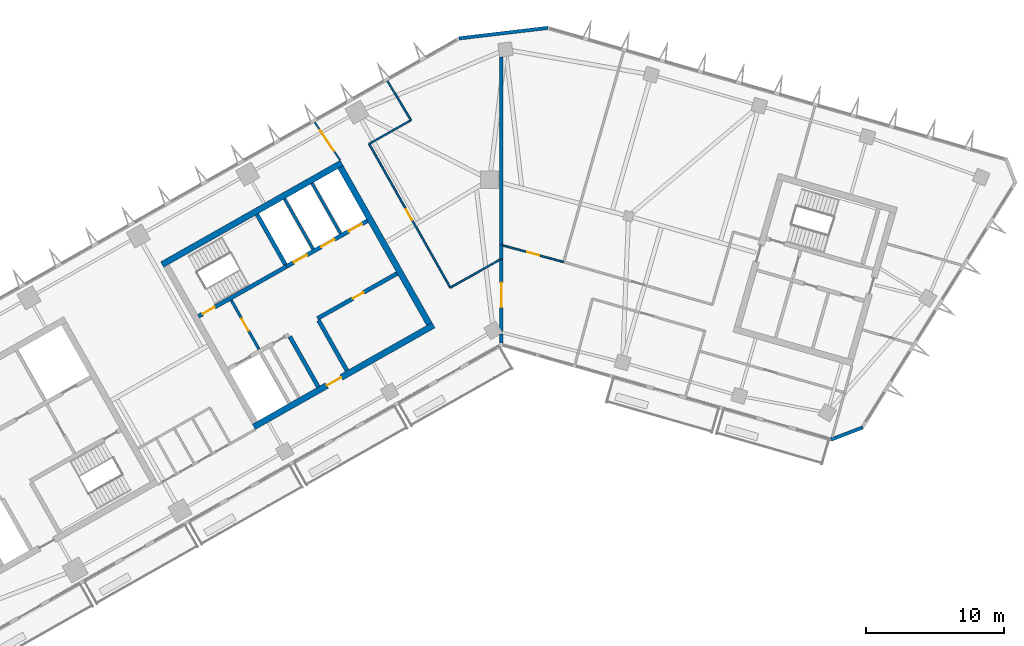
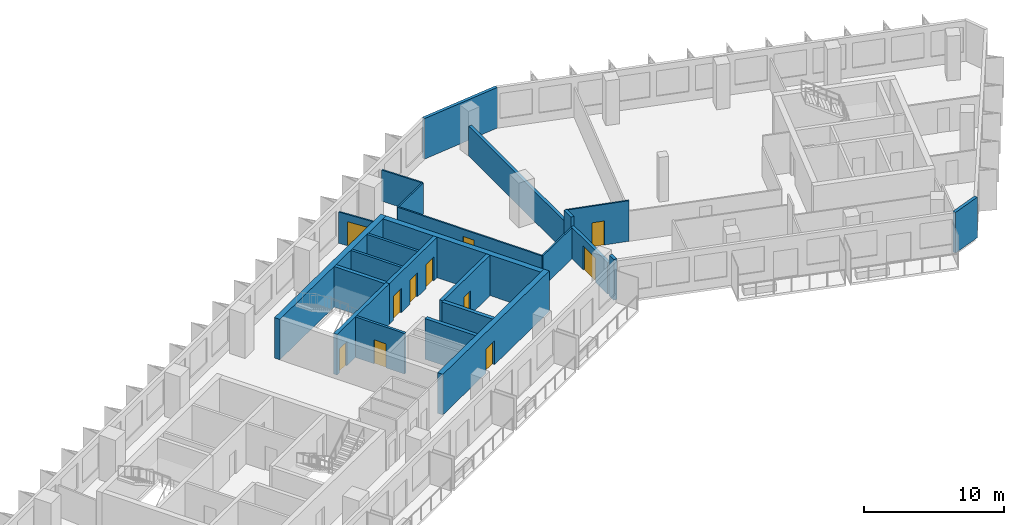
# One storey, part 6 of 12: 24 walls, 11 doors, 11 openings.
"""IFC4 building model written with IfcOpenShell, lengths in metres."""

from ifc_helpers import new_model, si_unit, direction, frame, frame_2d, origin, place, context, subcontext, project, spatial, rectangle, extrude, material, layer, layer_set, type_object, element, fill, save


model = new_model("IFC4")

# Units and contexts
model_context = context("Model", 3, precision=1e-05, world=origin(), true_north=direction((0.0, 1.0)))
body_context = subcontext(model_context, "Body", "Model", "MODEL_VIEW")
ifc_project = project(units=[si_unit("LENGTHUNIT", "METRE"), si_unit("AREAUNIT", "SQUARE_METRE"), si_unit("VOLUMEUNIT", "CUBIC_METRE"), si_unit("PLANEANGLEUNIT", "RADIAN"), si_unit("MASSUNIT", "GRAM", prefix="KILO")], contexts=[model_context])

# Site, building, storey
site_placement = place(None, origin())
site = spatial("IfcSite", under=ifc_project, at=site_placement, CompositionType="ELEMENT")
building_placement = place(site_placement, origin())
building = spatial("IfcBuilding", under=site, at=building_placement, Name="Binnacle Exchange Tower", CompositionType="ELEMENT")
storey_placement = place(building_placement, frame((0.0, 0.0, 254.300048828125)))
storey = spatial("IfcBuildingStorey", under=building, at=storey_placement, Name="L56", CompositionType="ELEMENT", Elevation=254.300048828125)

# Wall, opening, door
ifc_material_1 = material(Name="Concrete C70/85", Category="concrete")
ifc_layer_1 = layer(ifc_material_1, 0.300048828125)
ifc_layer_set_1 = layer_set([ifc_layer_1], Name="Core wall - front 300")
wall_type_1 = type_object("IfcWallType", Name="Core wall - front 300", PredefinedType="SOLIDWALL", material=ifc_layer_set_1)
wall_1_placement = place(storey_placement, frame((-13.364501953125, 49.910888671875, 0.0), z_axis=(0.0, 0.0, 1.0), x_axis=(0.870352159619, 0.492429810477, 0.0)))
wall_1 = element("IfcWall", 1, at=wall_1_placement, inside=storey, type_object=wall_type_1, Name="Core wall CRWC3", PredefinedType="SOLIDWALL", context=body_context, shape_type="SweptSolid", body=[
    extrude(rectangle(XDim=6.64990234375, YDim=0.300048828125, at=frame_2d((3.324951171875, 0.0))), origin(), (0.0, 0.0, 1.0), 3.550048828125),
])
opening_1_placement = place(wall_1_placement, frame((2.949951171875, 0.0, 0.0)))
opening_1 = element("IfcOpeningElement", 2, at=opening_1_placement, cuts=wall_1, Name="Opening DC18", PredefinedType="OPENING", context=body_context, shape_type="SweptSolid", body=[
    extrude(rectangle(XDim=0.89990234375, YDim=2.10009765625, at=frame_2d((0.449951171875, 1.050048828125))), frame((0.0, 0.159912109375, 0.0), z_axis=(0.0, -1.0, 0.0), x_axis=(1.0, 0.0, 0.0)), (0.0, 0.0, 1.0), 0.320068359375),
])
ifc_material_2 = material(Name="Steel door leaf", Category="steel")
door_type_1 = type_object("IfcDoorType", Name="Fire door 900", OperationType="NOTDEFINED", PredefinedType="DOOR", material=ifc_material_2)
door_1_placement = place(opening_1_placement, frame((0.89990234375, 0.0, 0.0), z_axis=(0.0, 0.0, 1.0), x_axis=(-1.0, 0.0, 0.0)))
door_1 = element("IfcDoor", 3, at=door_1_placement, inside=storey, type_object=door_type_1, Name="Core room door STAFF PANTRY AND STORE", OperationType="SINGLE_SWING_LEFT", OverallHeight=2.10009765625, OverallWidth=0.89990234375, PredefinedType="DOOR", context=body_context, shape_type="SweptSolid", body=[
    extrude(rectangle(XDim=0.89990234375, YDim=2.10009765625, at=frame_2d((0.449951171875, 1.050048828125))), frame((0.0, 0.02490234375, 0.0), z_axis=(0.0, -1.0, 0.0), x_axis=(1.0, 0.0, 0.0)), (0.0, 0.0, 1.0), 0.050048828125),
])
fill(opening_1, door_1)

# Wall, openings, doors
wall_2_placement = place(storey_placement, frame((-15.6181640625, 53.69140625, 0.0), z_axis=(0.0, 0.0, 1.0), x_axis=(0.870358646884, 0.492418344291, 0.0)))
wall_2 = element("IfcWall", 4, at=wall_2_placement, inside=storey, type_object=wall_type_1, Name="Core wall CRWC5", PredefinedType="SOLIDWALL", context=body_context, shape_type="SweptSolid", body=[
    extrude(rectangle(XDim=6.749755859375, YDim=0.300048828125, at=frame_2d((3.375, 0.0))), origin(), (0.0, 0.0, 1.0), 3.550048828125),
])
opening_2_placement = place(wall_2_placement, frame((0.60009765625, 0.0, 0.0)))
opening_2 = element("IfcOpeningElement", 5, at=opening_2_placement, cuts=wall_2, Name="Opening LD5", PredefinedType="OPENING", context=body_context, shape_type="SweptSolid", body=[
    extrude(rectangle(XDim=1.10009765625, YDim=2.10009765625, at=frame_2d((0.550048828125, 1.050048828125))), frame((0.0, 0.159912109375, 0.0), z_axis=(0.0, -1.0, 0.0), x_axis=(1.0, 0.0, 0.0)), (0.0, 0.0, 1.0), 0.320068359375),
])
opening_3_placement = place(wall_2_placement, frame((2.89990234375, 0.0, 0.0)))
opening_3 = element("IfcOpeningElement", 6, at=opening_3_placement, cuts=wall_2, Name="Opening LD6", PredefinedType="OPENING", context=body_context, shape_type="SweptSolid", body=[
    extrude(rectangle(XDim=1.10009765625, YDim=2.10009765625, at=frame_2d((0.550048828125, 1.050048828125))), frame((0.0, 0.159912109375, 0.0), z_axis=(0.0, -1.0, 0.0), x_axis=(1.0, 0.0, 0.0)), (0.0, 0.0, 1.0), 0.320068359375),
])
opening_4_placement = place(wall_2_placement, frame((5.199951171875, 0.0, 0.0)))
opening_4 = element("IfcOpeningElement", 7, at=opening_4_placement, cuts=wall_2, Name="Opening LD7", PredefinedType="OPENING", context=body_context, shape_type="SweptSolid", body=[
    extrude(rectangle(XDim=1.10009765625, YDim=2.10009765625, at=frame_2d((0.550048828125, 1.050048828125))), frame((0.0, 0.159912109375, 0.0), z_axis=(0.0, -1.0, 0.0), x_axis=(1.0, 0.0, 0.0)), (0.0, 0.0, 1.0), 0.320068359375),
])
door_type_2 = type_object("IfcDoorType", Name="Fire door - lift landing 1100", OperationType="NOTDEFINED", PredefinedType="DOOR", material=ifc_material_2)
door_2_placement = place(opening_2_placement, origin())
door_2 = element("IfcDoor", 8, at=door_2_placement, inside=storey, type_object=door_type_2, Name="Landing door LD5 L56", OperationType="DOUBLE_DOOR_SLIDING", OverallHeight=2.10009765625, OverallWidth=1.10009765625, PredefinedType="DOOR", context=body_context, shape_type="SweptSolid", body=[
    extrude(rectangle(XDim=1.10009765625, YDim=2.10009765625, at=frame_2d((0.550048828125, 1.050048828125))), frame((0.0, 0.02490234375, 0.0), z_axis=(0.0, -1.0, 0.0), x_axis=(1.0, 0.0, 0.0)), (0.0, 0.0, 1.0), 0.050048828125),
])
fill(opening_2, door_2)
door_3_placement = place(opening_3_placement, origin())
door_3 = element("IfcDoor", 9, at=door_3_placement, inside=storey, type_object=door_type_2, Name="Landing door LD6 L56", OperationType="DOUBLE_DOOR_SLIDING", OverallHeight=2.10009765625, OverallWidth=1.10009765625, PredefinedType="DOOR", context=body_context, shape_type="SweptSolid", body=[
    extrude(rectangle(XDim=1.10009765625, YDim=2.10009765625, at=frame_2d((0.550048828125, 1.050048828125))), frame((0.0, 0.02490234375, 0.0), z_axis=(0.0, -1.0, 0.0), x_axis=(1.0, 0.0, 0.0)), (0.0, 0.0, 1.0), 0.050048828125),
])
fill(opening_3, door_3)
door_4_placement = place(opening_4_placement, origin())
door_4 = element("IfcDoor", 10, at=door_4_placement, inside=storey, type_object=door_type_2, Name="Landing door LD7 L56", OperationType="DOUBLE_DOOR_SLIDING", OverallHeight=2.10009765625, OverallWidth=1.10009765625, PredefinedType="DOOR", context=body_context, shape_type="SweptSolid", body=[
    extrude(rectangle(XDim=1.10009765625, YDim=2.10009765625, at=frame_2d((0.550048828125, 1.050048828125))), frame((0.0, 0.02490234375, 0.0), z_axis=(0.0, -1.0, 0.0), x_axis=(1.0, 0.0, 0.0)), (0.0, 0.0, 1.0), 0.050048828125),
])
fill(opening_4, door_4)

# Walls
for number, where, z_axis, x_axis, name in (
    (11, (-15.37939453125, 48.5986328125, 0.0), (0.0, 0.0, 1.0), (0.492409653846, -0.870363563575, 0.0), "Core wall CRWC13"),
    (12, (-13.29052734375, 49.780517578125, 0.0), (0.0, 0.0, 1.0), (0.492409653846, -0.870363563575, 0.0), "Core wall CRWC15"),
):
    element("IfcWall", number, at=place(storey_placement, frame(where, z_axis=z_axis, x_axis=x_axis)), inside=storey, type_object=wall_type_1, Name=name, PredefinedType="SOLIDWALL", context=body_context, shape_type="SweptSolid", body=[
        extrude(rectangle(XDim=4.199951171875, YDim=0.300048828125, at=frame_2d((2.10009765625, 0.0))), origin(), (0.0, 0.0, 1.0), 3.550048828125),
    ])

# Wall, opening, door
ifc_layer_2 = layer(ifc_material_1, 0.449951171875)
ifc_layer_set_2 = layer_set([ifc_layer_2], Name="Core wall - outer 450")
wall_type_2 = type_object("IfcWallType", Name="Core wall - outer 450", PredefinedType="SOLIDWALL", material=ifc_layer_set_2)
wall_3_placement = place(storey_placement, frame((-17.987548828125, 42.0390625, 0.0), z_axis=(0.0, 0.0, 1.0), x_axis=(0.870360574057, 0.492414937962, 0.0)))
wall_3 = element("IfcWall", 13, at=wall_3_placement, inside=storey, type_object=wall_type_2, Name="Core wall CRWC1", PredefinedType="SOLIDWALL", context=body_context, shape_type="SweptSolid", body=[
    extrude(rectangle(XDim=15.0, YDim=0.449951171875, at=frame_2d((7.5, 0.0))), origin(), (0.0, 0.0, 1.0), 3.550048828125),
])
opening_5_placement = place(wall_3_placement, frame((6.10009765625, 0.0, 0.0)))
opening_5 = element("IfcOpeningElement", 14, at=opening_5_placement, cuts=wall_3, Name="Opening DC7", PredefinedType="OPENING", context=body_context, shape_type="SweptSolid", body=[
    extrude(rectangle(XDim=1.199951171875, YDim=2.10009765625, at=frame_2d((0.60009765625, 1.050048828125))), frame((0.0, 0.23486328125, 0.0), z_axis=(0.0, -1.0, 0.0), x_axis=(1.0, 0.0, 0.0)), (0.0, 0.0, 1.0), 0.469970703125),
])
door_type_3 = type_object("IfcDoorType", Name="Fire door 1200", OperationType="NOTDEFINED", PredefinedType="DOOR", material=ifc_material_2)
door_5_placement = place(opening_5_placement, frame((1.199951171875, 0.0, 0.0), z_axis=(0.0, 0.0, 1.0), x_axis=(-1.0, 0.0, 0.0)))
door_5 = element("IfcDoor", 15, at=door_5_placement, inside=storey, type_object=door_type_3, Name="Lift lobby entrance door core C", OperationType="SINGLE_SWING_RIGHT", OverallHeight=2.10009765625, OverallWidth=1.199951171875, PredefinedType="DOOR", context=body_context, shape_type="SweptSolid", body=[
    extrude(rectangle(XDim=1.199951171875, YDim=2.10009765625, at=frame_2d((0.60009765625, 1.050048828125))), frame((0.0, 0.02490234375, 0.0), z_axis=(0.0, -1.0, 0.0), x_axis=(1.0, 0.0, 0.0)), (0.0, 0.0, 1.0), 0.050048828125),
])
fill(opening_5, door_5)

# Walls
wall_4_placement = place(storey_placement, frame((-24.659912109375, 53.832275390625, 0.0), z_axis=(0.0, 0.0, 1.0), x_axis=(0.870353598469, 0.492427267353, 0.0)))
element("IfcWall", 16, at=wall_4_placement, inside=storey, type_object=wall_type_2, Name="Core wall CRWC6", PredefinedType="SOLIDWALL", context=body_context, shape_type="SweptSolid", body=[
    extrude(rectangle(XDim=15.000244140625, YDim=0.449951171875, at=frame_2d((7.5, 0.0))), origin(), (0.0, 0.0, 1.0), 3.550048828125),
])
wall_5_placement = place(storey_placement, frame((-11.689453125, 60.912109375, 0.0), z_axis=(0.0, 0.0, 1.0), x_axis=(0.492421378713, -0.870356930107, 0.0)))
element("IfcWall", 17, at=wall_5_placement, inside=storey, type_object=wall_type_2, Name="Core wall CRWC24", PredefinedType="SOLIDWALL", context=body_context, shape_type="SweptSolid", body=[
    extrude(rectangle(XDim=13.099853515625, YDim=0.449951171875, at=frame_2d((6.5498046875, 0.0))), origin(), (0.0, 0.0, 1.0), 3.550048828125),
])

# Wall, opening, door
ifc_layer_3 = layer(ifc_material_1, 0.300048828125)
ifc_layer_set_3 = layer_set([ifc_layer_3], Name="Core wall - stair 300")
wall_type_3 = type_object("IfcWallType", Name="Core wall - stair 300", PredefinedType="SOLIDWALL", material=ifc_layer_set_3)
wall_6_placement = place(storey_placement, frame((-22.015380859375, 50.072021484375, 0.0), z_axis=(0.0, 0.0, 1.0), x_axis=(0.870354900257, 0.492424966466, 0.0)))
wall_6 = element("IfcWall", 18, at=wall_6_placement, inside=storey, type_object=wall_type_3, Name="Core wall CRWC4", PredefinedType="SOLIDWALL", context=body_context, shape_type="SweptSolid", body=[
    extrude(rectangle(XDim=7.35009765625, YDim=0.300048828125, at=frame_2d((3.675048828125, 0.0))), origin(), (0.0, 0.0, 1.0), 3.550048828125),
])
opening_6_placement = place(wall_6_placement, frame((0.35009765625, 0.0, 0.0)))
opening_6 = element("IfcOpeningElement", 19, at=opening_6_placement, cuts=wall_6, Name="Opening DC1", PredefinedType="OPENING", context=body_context, shape_type="SweptSolid", body=[
    extrude(rectangle(XDim=1.0, YDim=2.10009765625, at=frame_2d((0.5, 1.050048828125))), frame((0.0, 0.159912109375, 0.0), z_axis=(0.0, -1.0, 0.0), x_axis=(1.0, 0.0, 0.0)), (0.0, 0.0, 1.0), 0.320068359375),
])
door_type_4 = type_object("IfcDoorType", Name="Fire door 1000", OperationType="NOTDEFINED", PredefinedType="DOOR", material=ifc_material_2)
door_6_placement = place(opening_6_placement, origin())
door_6 = element("IfcDoor", 20, at=door_6_placement, inside=storey, type_object=door_type_4, Name="Stair door ST-C1", OperationType="SINGLE_SWING_LEFT", OverallHeight=2.10009765625, OverallWidth=1.0, PredefinedType="DOOR", context=body_context, shape_type="SweptSolid", body=[
    extrude(rectangle(XDim=1.0, YDim=2.10009765625, at=frame_2d((0.5, 1.050048828125))), frame((0.0, 0.02490234375, 0.0), z_axis=(0.0, -1.0, 0.0), x_axis=(1.0, 0.0, 0.0)), (0.0, 0.0, 1.0), 0.050048828125),
])
fill(opening_6, door_6)

# Walls
wall_7_placement = place(storey_placement, frame((-17.76025390625, 57.477294921875, 0.0), z_axis=(0.0, 0.0, 1.0), x_axis=(0.49243456751, -0.870349468157, 0.0)))
element("IfcWall", 21, at=wall_7_placement, inside=storey, type_object=wall_type_3, Name="Core wall CRWC14", PredefinedType="SOLIDWALL", context=body_context, shape_type="SweptSolid", body=[
    extrude(rectangle(XDim=4.19970703125, YDim=0.300048828125, at=frame_2d((2.099853515625, 0.0))), origin(), (0.0, 0.0, 1.0), 3.550048828125),
])
ifc_material_3 = material(Name="Bronze aluminium cladding", Category="aluminium")
ifc_layer_4 = layer(ifc_material_3, 0.25)
ifc_layer_set_4 = layer_set([ifc_layer_4], Name="External wall - window wall 250")
wall_type_4 = type_object("IfcWallType", Name="External wall - window wall 250", PredefinedType="STANDARD", material=ifc_layer_set_4)
wall_8_placement = place(storey_placement, frame((26.27001953125, 41.993408203125, 0.0), z_axis=(0.0, 0.0, 1.0), x_axis=(-0.933573798066, -0.358385216722, 0.0)))
element("IfcWall", 22, at=wall_8_placement, inside=storey, type_object=wall_type_4, Name="External wall EW-G03 L56", PredefinedType="STANDARD", context=body_context, shape_type="SweptSolid", body=[
    extrude(rectangle(XDim=2.479736328125, YDim=0.25, at=frame_2d((1.23974609375, 0.0))), origin(), (0.0, 0.0, 1.0), 3.550048828125),
])
wall_9_placement = place(storey_placement, frame((-3.0712890625, 70.2734375, 0.0), z_axis=(0.0, 0.0, 1.0), x_axis=(0.993064524962, 0.11757061394, 0.0)))
element("IfcWall", 23, at=wall_9_placement, inside=storey, type_object=wall_type_4, Name="External wall EW-G07 L56", PredefinedType="STANDARD", context=body_context, shape_type="SweptSolid", body=[
    extrude(rectangle(XDim=6.505859375, YDim=0.25, at=frame_2d((3.2529296875, 0.0))), origin(), (0.0, 0.0, 1.0), 3.550048828125),
])
ifc_material_4 = material(Name="Concrete fire wall C30/37", Category="concrete")
ifc_layer_5 = layer(ifc_material_4, 0.25)
ifc_layer_set_5 = layer_set([ifc_layer_5], Name="Fire wall - compartment 250")
wall_type_5 = type_object("IfcWallType", Name="Fire wall - compartment 250", PredefinedType="PARTITIONING", material=ifc_layer_set_5)
wall_10_placement = place(storey_placement, frame((0.0, 48.1298828125, 0.0), z_axis=(0.0, 0.0, 1.0), x_axis=(0.0, 1.0, 0.0)))
element("IfcWall", 24, at=wall_10_placement, inside=storey, type_object=wall_type_5, Name="Fire Wall W21", PredefinedType="PARTITIONING", context=body_context, shape_type="SweptSolid", body=[
    extrude(rectangle(XDim=0.674072265625, YDim=0.25, at=frame_2d((0.3369140625, 0.0))), origin(), (0.0, 0.0, 1.0), 3.550048828125),
])

# Wall, opening, door
wall_11_placement = place(storey_placement, frame((0.0, 49.014892578125, 0.0), z_axis=(0.0, 0.0, 1.0), x_axis=(0.0, 1.0, 0.0)))
wall_11 = element("IfcWall", 25, at=wall_11_placement, inside=storey, type_object=wall_type_5, Name="Fire Wall W22", PredefinedType="PARTITIONING", context=body_context, shape_type="SweptSolid", body=[
    extrude(rectangle(XDim=5.235107421875, YDim=0.25, at=frame_2d((2.61767578125, 0.0))), origin(), (0.0, 0.0, 1.0), 2.72998046875),
])
opening_7_placement = place(wall_11_placement, frame((1.699951171875, 0.0, 0.0)))
opening_7 = element("IfcOpeningElement", 26, at=opening_7_placement, cuts=wall_11, Name="Opening DL55-14", PredefinedType="OPENING", context=body_context, shape_type="SweptSolid", body=[
    extrude(rectangle(XDim=1.800048828125, YDim=2.10009765625, at=frame_2d((0.89990234375, 1.050048828125))), frame((0.0, 0.135009765625, 0.0), z_axis=(0.0, -1.0, 0.0), x_axis=(1.0, 0.0, 0.0)), (0.0, 0.0, 1.0), 0.27001953125),
])
door_type_5 = type_object("IfcDoorType", Name="Fire door 1800", OperationType="NOTDEFINED", PredefinedType="DOOR", material=ifc_material_2)
door_7_placement = place(opening_7_placement, origin())
door_7 = element("IfcDoor", 27, at=door_7_placement, inside=storey, type_object=door_type_5, Name="Door DL55-14", OperationType="DOUBLE_DOOR_SINGLE_SWING", OverallHeight=2.10009765625, OverallWidth=1.800048828125, PredefinedType="DOOR", context=body_context, shape_type="SweptSolid", body=[
    extrude(rectangle(XDim=1.800048828125, YDim=2.10009765625, at=frame_2d((0.89990234375, 1.050048828125))), frame((0.0, 0.02490234375, 0.0), z_axis=(0.0, -1.0, 0.0), x_axis=(1.0, 0.0, 0.0)), (0.0, 0.0, 1.0), 0.050048828125),
])
fill(opening_7, door_7)

# Walls
wall_12_placement = place(storey_placement, frame((0.0, 54.25, 0.0), z_axis=(0.0, 0.0, 1.0), x_axis=(0.0, 1.0, 0.0)))
element("IfcWall", 28, at=wall_12_placement, inside=storey, type_object=wall_type_5, Name="Fire Wall W23", PredefinedType="PARTITIONING", context=body_context, shape_type="SweptSolid", body=[
    extrude(rectangle(XDim=1.0, YDim=0.25, at=frame_2d((0.5, 0.0))), origin(), (0.0, 0.0, 1.0), 3.550048828125),
])
wall_13_placement = place(storey_placement, frame((0.0, 55.25, 0.0), z_axis=(0.0, 0.0, 1.0), x_axis=(0.0, 1.0, 0.0)))
element("IfcWall", 29, at=wall_13_placement, inside=storey, type_object=wall_type_5, Name="Fire Wall W24", PredefinedType="PARTITIONING", context=body_context, shape_type="SweptSolid", body=[
    extrude(rectangle(XDim=13.675048828125, YDim=0.25, at=frame_2d((6.83740234375, 0.0))), origin(), (0.0, 0.0, 1.0), 2.617919921875),
])

# Wall, opening, door
ifc_material_5 = material(Name="Masonry block wall", Category="masonry")
ifc_layer_6 = layer(ifc_material_5, 0.199951171875)
ifc_layer_set_6 = layer_set([ifc_layer_6], Name="Fire wall - vestibule 200")
wall_type_6 = type_object("IfcWallType", Name="Fire wall - vestibule 200", PredefinedType="PARTITIONING", material=ifc_layer_set_6)
wall_14_placement = place(storey_placement, frame((-19.635009765625, 51.246337890625, 0.0), z_axis=(0.0, 0.0, 1.0), x_axis=(0.492408451753, -0.87036424366, 0.0)))
wall_14 = element("IfcWall", 30, at=wall_14_placement, inside=storey, type_object=wall_type_6, Name="Core wall CRWC10", PredefinedType="PARTITIONING", context=body_context, shape_type="SweptSolid", body=[
    extrude(rectangle(XDim=4.099853515625, YDim=0.199951171875, at=frame_2d((2.0498046875, 0.0))), origin(), (0.0, 0.0, 1.0), 3.550048828125),
])
opening_8_placement = place(wall_14_placement, frame((1.550048828125, 0.0, 0.0)))
opening_8 = element("IfcOpeningElement", 31, at=opening_8_placement, cuts=wall_14, Name="Opening DC3", PredefinedType="OPENING", context=body_context, shape_type="SweptSolid", body=[
    extrude(rectangle(XDim=1.0, YDim=2.10009765625, at=frame_2d((0.5, 1.050048828125))), frame((0.0, 0.10986328125, 0.0), z_axis=(0.0, -1.0, 0.0), x_axis=(1.0, 0.0, 0.0)), (0.0, 0.0, 1.0), 0.219970703125),
])
door_8_placement = place(opening_8_placement, frame((1.0, 0.0, 0.0), z_axis=(0.0, 0.0, 1.0), x_axis=(-1.0, 0.0, 0.0)))
door_8 = element("IfcDoor", 32, at=door_8_placement, inside=storey, type_object=door_type_4, Name="Vestibule door VEST-W", OperationType="SINGLE_SWING_RIGHT", OverallHeight=2.10009765625, OverallWidth=1.0, PredefinedType="DOOR", context=body_context, shape_type="SweptSolid", body=[
    extrude(rectangle(XDim=1.0, YDim=2.10009765625, at=frame_2d((0.5, 1.050048828125))), frame((0.0, 0.02490234375, 0.0), z_axis=(0.0, -1.0, 0.0), x_axis=(1.0, 0.0, 0.0)), (0.0, 0.0, 1.0), 0.050048828125),
])
fill(opening_8, door_8)

ifc_material_6 = material(Name="Gypsum partition")
ifc_layer_7 = layer(ifc_material_6, 0.125)
ifc_layer_set_7 = layer_set([ifc_layer_7], Name="Partition 125")
wall_type_7 = type_object("IfcWallType", Name="Partition 125", PredefinedType="PARTITIONING", material=ifc_layer_set_7)
wall_15_placement = place(storey_placement, frame((-13.571044921875, 64.177978515625, 0.0), z_axis=(0.0, 0.0, 1.0), x_axis=(0.557472457511, -0.830195434291, 0.0)))
wall_15 = element("IfcWall", 33, at=wall_15_placement, inside=storey, type_object=wall_type_7, Name="Partition W16", PredefinedType="PARTITIONING", context=body_context, shape_type="SweptSolid", body=[
    extrude(rectangle(XDim=3.329345703125, YDim=0.125, at=frame_2d((1.66455078125, 0.0))), origin(), (0.0, 0.0, 1.0), 2.72998046875),
])
opening_9_placement = place(wall_15_placement, frame((0.699951171875, 0.0, 0.0)))
opening_9 = element("IfcOpeningElement", 34, at=opening_9_placement, cuts=wall_15, Name="Opening DL55-06", PredefinedType="OPENING", context=body_context, shape_type="SweptSolid", body=[
    extrude(rectangle(XDim=1.800048828125, YDim=2.10009765625, at=frame_2d((0.89990234375, 1.050048828125))), frame((0.0, 0.072509765625, 0.0), z_axis=(0.0, -1.0, 0.0), x_axis=(1.0, 0.0, 0.0)), (0.0, 0.0, 1.0), 0.14501953125),
])
ifc_material_7 = material(Name="Timber door leaf", Category="wood")
door_type_6 = type_object("IfcDoorType", Name="Double door 1800", OperationType="NOTDEFINED", PredefinedType="DOOR", material=ifc_material_7)
door_9_placement = place(opening_9_placement, frame((1.800048828125, 0.0, 0.0), z_axis=(0.0, 0.0, 1.0), x_axis=(-1.0, 0.0, 0.0)))
door_9 = element("IfcDoor", 35, at=door_9_placement, inside=storey, type_object=door_type_6, Name="Door DL55-06", OperationType="DOUBLE_DOOR_SINGLE_SWING", OverallHeight=2.10009765625, OverallWidth=1.800048828125, PredefinedType="DOOR", context=body_context, shape_type="SweptSolid", body=[
    extrude(rectangle(XDim=1.800048828125, YDim=2.10009765625, at=frame_2d((0.89990234375, 1.050048828125))), frame((0.0, 0.02490234375, 0.0), z_axis=(0.0, -1.0, 0.0), x_axis=(1.0, 0.0, 0.0)), (0.0, 0.0, 1.0), 0.050048828125),
])
fill(opening_9, door_9)

# Wall
wall_16_placement = place(storey_placement, frame((-9.617919921875, 62.60107421875, 0.0), z_axis=(0.0, 0.0, 1.0), x_axis=(0.870402970255, 0.492339993675, 0.0)))
element("IfcWall", 36, at=wall_16_placement, inside=storey, type_object=wall_type_7, Name="Partition W17", PredefinedType="PARTITIONING", context=body_context, shape_type="SweptSolid", body=[
    extrude(rectangle(XDim=3.49951171875, YDim=0.125, at=frame_2d((1.749755859375, 0.0))), origin(), (0.0, 0.0, 1.0), 2.721923828125),
])

# Wall, opening, door
wall_17_placement = place(storey_placement, frame((-9.617919921875, 62.60107421875, 0.0), z_axis=(0.0, 0.0, 1.0), x_axis=(0.492420575123, -0.870357384754, 0.0)))
wall_17 = element("IfcWall", 37, at=wall_17_placement, inside=storey, type_object=wall_type_7, Name="Partition W18", PredefinedType="PARTITIONING", context=body_context, shape_type="SweptSolid", body=[
    extrude(rectangle(XDim=11.999755859375, YDim=0.125, at=frame_2d((6.0, 0.0))), origin(), (0.0, 0.0, 1.0), 2.721923828125),
])
opening_10_placement = place(wall_17_placement, frame((5.449951171875, 0.0, 0.0)))
opening_10 = element("IfcOpeningElement", 38, at=opening_10_placement, cuts=wall_17, Name="Opening DL55-07", PredefinedType="OPENING", context=body_context, shape_type="SweptSolid", body=[
    extrude(rectangle(XDim=0.89990234375, YDim=2.10009765625, at=frame_2d((0.449951171875, 1.050048828125))), frame((0.0, 0.072509765625, 0.0), z_axis=(0.0, -1.0, 0.0), x_axis=(1.0, 0.0, 0.0)), (0.0, 0.0, 1.0), 0.14501953125),
])
door_type_7 = type_object("IfcDoorType", Name="Door 900", OperationType="NOTDEFINED", PredefinedType="DOOR", material=ifc_material_7)
door_10_placement = place(opening_10_placement, origin())
door_10 = element("IfcDoor", 39, at=door_10_placement, inside=storey, type_object=door_type_7, Name="Door DL55-07", OperationType="SINGLE_SWING_LEFT", OverallHeight=2.10009765625, OverallWidth=0.89990234375, PredefinedType="DOOR", context=body_context, shape_type="SweptSolid", body=[
    extrude(rectangle(XDim=0.89990234375, YDim=2.10009765625, at=frame_2d((0.449951171875, 1.050048828125))), frame((0.0, 0.02490234375, 0.0), z_axis=(0.0, -1.0, 0.0), x_axis=(1.0, 0.0, 0.0)), (0.0, 0.0, 1.0), 0.050048828125),
])
fill(opening_10, door_10)

# Walls
wall_18_placement = place(storey_placement, frame((-8.280029296875, 67.172119140625, 0.0), z_axis=(0.0, 0.0, 1.0), x_axis=(0.514301147355, -0.857609660527, 0.0)))
element("IfcWall", 40, at=wall_18_placement, inside=storey, type_object=wall_type_7, Name="Partition W19", PredefinedType="PARTITIONING", context=body_context, shape_type="SweptSolid", body=[
    extrude(rectangle(XDim=3.321044921875, YDim=0.125, at=frame_2d((1.66064453125, 0.0))), origin(), (0.0, 0.0, 1.0), 2.72998046875),
])
wall_19_placement = place(storey_placement, frame((-3.708984375, 52.156982421875, 0.0), z_axis=(0.0, 0.0, 1.0), x_axis=(0.870901087888, 0.491458335075, 0.0)))
element("IfcWall", 41, at=wall_19_placement, inside=storey, type_object=wall_type_7, Name="Partition W20", PredefinedType="PARTITIONING", context=body_context, shape_type="SweptSolid", body=[
    extrude(rectangle(XDim=4.2587890625, YDim=0.125, at=frame_2d((2.12939453125, 0.0))), origin(), (0.0, 0.0, 1.0), 2.721923828125),
])

# Wall, opening, door
wall_20_placement = place(storey_placement, frame((0.0, 55.25, 0.0), z_axis=(0.0, 0.0, 1.0), x_axis=(0.965016778836, -0.262188132005, 0.0)))
wall_20 = element("IfcWall", 42, at=wall_20_placement, inside=storey, type_object=wall_type_7, Name="Partition W25", PredefinedType="PARTITIONING", context=body_context, shape_type="SweptSolid", body=[
    extrude(rectangle(XDim=4.691162109375, YDim=0.125, at=frame_2d((2.345703125, 0.0))), origin(), (0.0, 0.0, 1.0), 3.550048828125),
])
opening_11_placement = place(wall_20_placement, frame((1.949951171875, 0.0, 0.0)))
opening_11 = element("IfcOpeningElement", 43, at=opening_11_placement, cuts=wall_20, Name="Opening DL55-08", PredefinedType="OPENING", context=body_context, shape_type="SweptSolid", body=[
    extrude(rectangle(XDim=0.89990234375, YDim=2.10009765625, at=frame_2d((0.449951171875, 1.050048828125))), frame((0.0, 0.072509765625, 0.0), z_axis=(0.0, -1.0, 0.0), x_axis=(1.0, 0.0, 0.0)), (0.0, 0.0, 1.0), 0.14501953125),
])
door_11_placement = place(opening_11_placement, origin())
door_11 = element("IfcDoor", 44, at=door_11_placement, inside=storey, type_object=door_type_7, Name="Door DL55-08", OperationType="SINGLE_SWING_RIGHT", OverallHeight=2.10009765625, OverallWidth=0.89990234375, PredefinedType="DOOR", context=body_context, shape_type="SweptSolid", body=[
    extrude(rectangle(XDim=0.89990234375, YDim=2.10009765625, at=frame_2d((0.449951171875, 1.050048828125))), frame((0.0, 0.02490234375, 0.0), z_axis=(0.0, -1.0, 0.0), x_axis=(1.0, 0.0, 0.0)), (0.0, 0.0, 1.0), 0.050048828125),
])
fill(opening_11, door_11)

# Walls
ifc_layer_8 = layer(ifc_material_5, 0.199951171875)
ifc_layer_set_8 = layer_set([ifc_layer_8], Name="Shaft wall 200")
wall_type_8 = type_object("IfcWallType", Name="Shaft wall 200", PredefinedType="SOLIDWALL", material=ifc_layer_set_8)
for number, where, z_axis, x_axis, name in (
    (45, (-15.75830078125, 58.60986328125, 0.0), (0.0, 0.0, 1.0), (0.492409653846, -0.870363563575, 0.0), "Core wall CRWC18"),
    (46, (-13.756591796875, 59.742431640625, 0.0), (0.0, 0.0, 1.0), (0.492409653846, -0.870363563575, 0.0), "Core wall CRWC21"),
):
    element("IfcWall", number, at=place(storey_placement, frame(where, z_axis=z_axis, x_axis=x_axis)), inside=storey, type_object=wall_type_8, Name=name, PredefinedType="SOLIDWALL", context=body_context, shape_type="SweptSolid", body=[
        extrude(rectangle(XDim=4.199951171875, YDim=0.199951171875, at=frame_2d((2.10009765625, 0.0))), origin(), (0.0, 0.0, 1.0), 3.550048828125),
    ])

save(model, "model.ifc")
